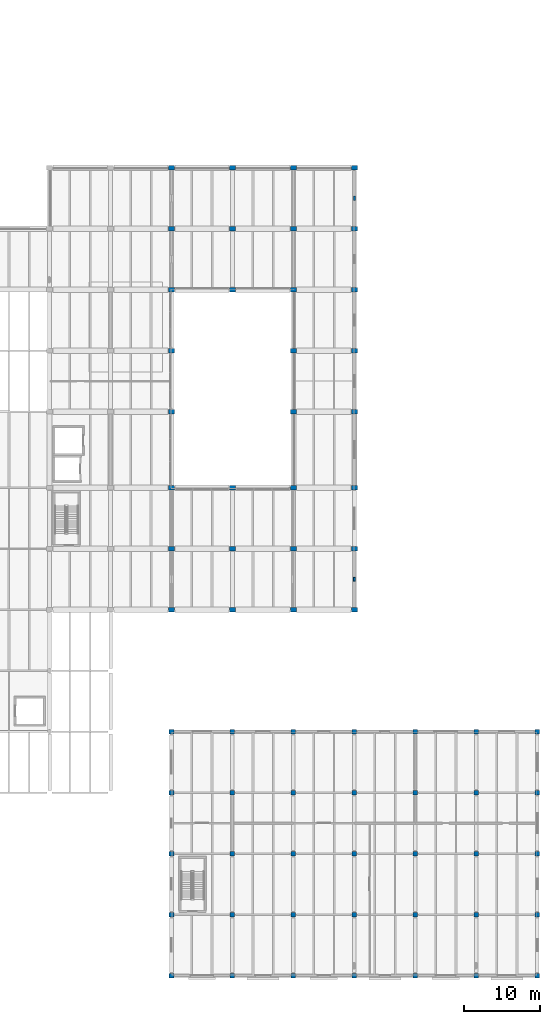
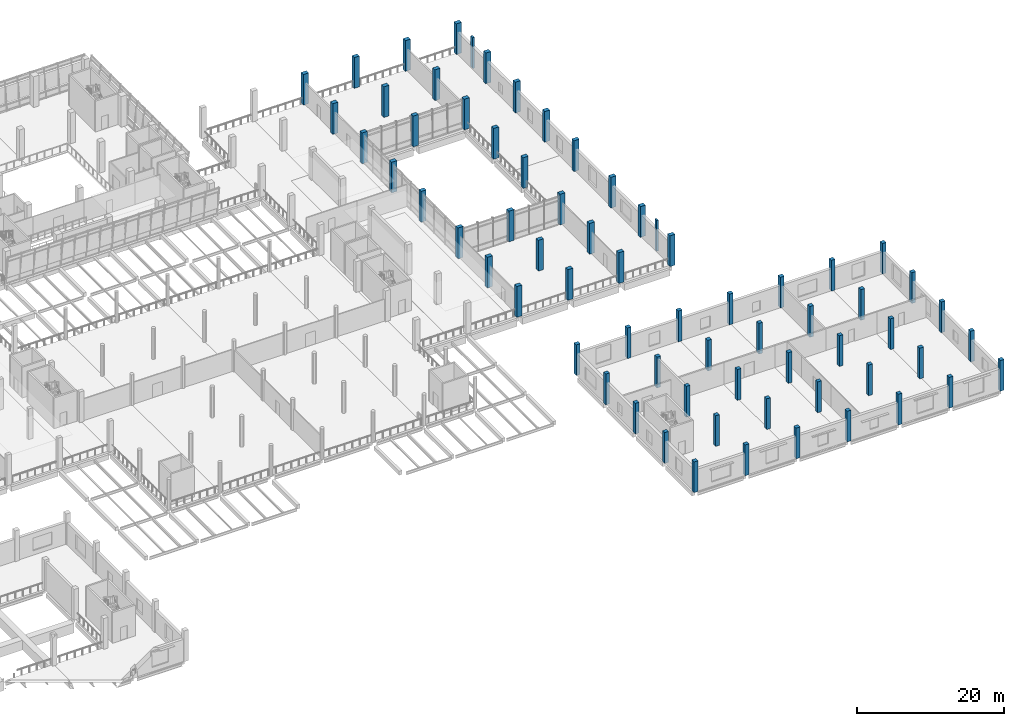
# One storey, part 3 of 61: 67 columns.
"""IFC4 building model written with IfcOpenShell, lengths in metres."""

import ifcopenshell
import ifcopenshell.guid

model = None  # the IFC model being written
_history = None  # IfcOwnerHistory: only IFC2X3 demands one
_inside = {}  # id of a spatial element -> (the spatial element, [elements in it])
_under = {}  # id of a project, library or spatial element -> (it, [spatial elements below it])
_declared = {}  # id of a project -> (the project, [libraries it declares])
_typed = {}  # id of a type object -> (the type object, [elements of that type])
_made_of = {}  # id of a material, layer set ... -> (it, [elements and type objects made of it])


def new_model(schema):
    """Start an empty IFC model of exactly this schema.

    Asked for "IFC4X3", IfcOpenShell would pick the latest addendum, in which some entities
    have other attributes; the version numbers below select the first issue.
    IFC2X3 requires an IfcOwnerHistory on every rooted entity: one is made here for all.
    """
    global model, _history
    if schema == "IFC4X3":
        model = ifcopenshell.file(schema_version=(4, 3, 0, 0))
    else:
        model = ifcopenshell.file(schema=schema)
    _inside.clear()
    _under.clear()
    _declared.clear()
    _typed.clear()
    _made_of.clear()
    _history = None
    if model.schema == "IFC2X3":
        org = make("IfcOrganization", Name="unknown")
        user = make(
            "IfcPersonAndOrganization",
            ThePerson=make("IfcPerson", FamilyName="unknown"),
            TheOrganization=org,
        )
        app = make(
            "IfcApplication",
            ApplicationDeveloper=org,
            Version="unknown",
            ApplicationFullName="unknown",
            ApplicationIdentifier="unknown",
        )
        _history = make(
            "IfcOwnerHistory",
            OwningUser=user,
            OwningApplication=app,
            ChangeAction="ADDED",
            CreationDate=0,
        )
    return model


def make(cls, **values):
    """One entity of the class cls with the attributes given. An attribute that is None is left unset."""
    return model.create_entity(
        cls, **{name: value for name, value in values.items() if value is not None}
    )


def rooted(cls, **values):
    """An entity with a GlobalId (a new one), such as an element, a storey or a relation."""
    return make(cls, GlobalId=ifcopenshell.guid.new(), OwnerHistory=_history, **values)


def si_unit(unit_type, name, prefix=None):
    """IfcSIUnit, for example si_unit("LENGTHUNIT", "METRE", prefix="MILLI")."""
    return make("IfcSIUnit", UnitType=unit_type, Prefix=prefix, Name=name)


def assignment(units):
    """IfcUnitAssignment: the units of a project."""
    return None if units is None else make("IfcUnitAssignment", Units=units)


def point(xyz):
    """IfcCartesianPoint."""
    return None if xyz is None else make("IfcCartesianPoint", Coordinates=xyz)


def direction(xyz):
    """IfcDirection."""
    return None if xyz is None else make("IfcDirection", DirectionRatios=xyz)


def frame(location, z_axis=None, x_axis=None):
    """IfcAxis2Placement3D, a coordinate frame: its origin and axes. An axis left out is left unset."""
    return make(
        "IfcAxis2Placement3D",
        Location=point(location),
        Axis=direction(z_axis),
        RefDirection=direction(x_axis),
    )


def frame_2d(location, x_axis=None):
    """IfcAxis2Placement2D, a coordinate frame in the plane: its origin and x axis."""
    return make(
        "IfcAxis2Placement2D", Location=point(location), RefDirection=direction(x_axis)
    )


def origin():
    """The frame at (0, 0, 0) with its axes left unset."""
    return frame((0.0, 0.0, 0.0))


def origin_2d():
    """The frame at (0, 0) in the plane with its x axis left unset."""
    return frame_2d((0.0, 0.0))


def place(relative_to, where):
    """IfcLocalPlacement: puts the frame where relative to a parent placement (None: the world)."""
    return make(
        "IfcLocalPlacement", PlacementRelTo=relative_to, RelativePlacement=where
    )


def context(
    kind, dimensions, precision=None, world=None, true_north=None, identifier=None
):
    """IfcGeometricRepresentationContext, for example the 3D "Model" context."""
    return make(
        "IfcGeometricRepresentationContext",
        ContextIdentifier=identifier,
        ContextType=kind,
        CoordinateSpaceDimension=dimensions,
        Precision=precision,
        WorldCoordinateSystem=world,
        TrueNorth=true_north,
    )


def subcontext(parent, identifier, kind, view, scale=None):
    """IfcGeometricRepresentationSubContext, for example "Body" below "Model"."""
    return make(
        "IfcGeometricRepresentationSubContext",
        ContextIdentifier=identifier,
        ContextType=kind,
        ParentContext=parent,
        TargetScale=scale,
        TargetView=view,
    )


def project(units=None, contexts=None):
    """IfcProject with its units and contexts."""
    return rooted(
        "IfcProject",
        Name="project",
        RepresentationContexts=contexts,
        UnitsInContext=assignment(units),
    )


def spatial(cls, under=None, at=None, **own):
    """A site, building, storey or space (cls), placed at a placement, below another one or the project."""
    s = rooted(cls, ObjectPlacement=at, **own)
    if under is not None:
        _under.setdefault(under.id(), (under, []))[1].append(s)
    return s


def profile(cls, at=None, kind="AREA", **sizes):
    """A parametric profile (cls). Its sizes go by their IFC names, for example OverallWidth=200.0."""
    return make(cls, ProfileType=kind, Position=at, **sizes)


def rectangle(**sizes):
    """IfcRectangleProfileDef."""
    return profile("IfcRectangleProfileDef", **sizes)


def extrude(swept, where, along, depth):
    """IfcExtrudedAreaSolid: the profile swept, set in the frame where, extruded along a direction by depth."""
    return make(
        "IfcExtrudedAreaSolid",
        SweptArea=swept,
        Position=where,
        ExtrudedDirection=direction(along),
        Depth=depth,
    )


def shape(context_of_items, identifier, shape_type, items):
    """IfcShapeRepresentation: the items that make up one representation, for example the "Body"."""
    return make(
        "IfcShapeRepresentation",
        ContextOfItems=context_of_items,
        RepresentationIdentifier=identifier,
        RepresentationType=shape_type,
        Items=items,
    )


def material(Name=None, Category=None):
    """IfcMaterial."""
    return make("IfcMaterial", Name=Name, Category=Category)


def material_profile(
    of_material, cross_section, Name=None, Category=None, Priority=None
):
    """IfcMaterialProfile: a cross section and its material."""
    return make(
        "IfcMaterialProfile",
        Name=Name,
        Material=of_material,
        Profile=cross_section,
        Priority=Priority,
        Category=Category,
    )


def profile_set(profiles, Name=None, composite=None):
    """IfcMaterialProfileSet."""
    return make(
        "IfcMaterialProfileSet",
        Name=Name,
        MaterialProfiles=profiles,
        CompositeProfile=composite,
    )


def made_of(thing, what):
    """Note that an element or type object is made of a material, layer set ...; save() writes the relation."""
    if what is not None:
        _made_of.setdefault(what.id(), (what, []))[1].append(thing)
    return thing


def type_object(cls, material=None, **own):
    """A type object (cls), such as IfcWallType, which elements share."""
    return made_of(rooted(cls, **own), material)


def element(
    cls,
    number,
    at=None,
    inside=None,
    cuts=None,
    type_object=None,
    material=None,
    context=None,
    identifier="Body",
    shape_type=None,
    held_by="IfcProductDefinitionShape",
    body=None,
    shapes=None,
    **own,
):
    """One element of the class cls, such as IfcWall. Its Tag is "e" and its number.

    at: its placement. inside: the storey or other place that contains it. cuts: it is an
    opening in that element (IfcRelVoidsElement). A single representation is given by context,
    identifier, shape_type and body (its items); several are given by shapes. held_by: the class
    of the entity that holds the representations. save() writes the other relations.
    """
    e = rooted(cls, Tag="e%d" % number, ObjectPlacement=at, **own)
    if body is not None:
        shapes = [shape(context, identifier, shape_type, body)]
    if shapes is not None:
        e.Representation = make(held_by, Representations=shapes)
    if inside is not None:
        _inside.setdefault(inside.id(), (inside, []))[1].append(e)
    if cuts is not None:
        rooted(
            "IfcRelVoidsElement", RelatingBuildingElement=cuts, RelatedOpeningElement=e
        )
    if type_object is not None:
        _typed.setdefault(type_object.id(), (type_object, []))[1].append(e)
    return made_of(e, material)


def aggregate(whole, parts):
    """IfcRelAggregates: a whole, such as a stair, and the parts it consists of."""
    return rooted("IfcRelAggregates", RelatingObject=whole, RelatedObjects=parts)


def save(model, path):
    """Write the relations noted so far, then the file.

    IfcRelAggregates (storeys below a building ...), IfcRelContainedInSpatialStructure (elements
    in a storey), IfcRelDefinesByType, IfcRelAssociatesMaterial and IfcRelDeclares: one each for
    every whole, place, type object, material and project.
    """
    for whole, parts in _under.values():
        aggregate(whole, parts)
    for where, things in _inside.values():
        rooted(
            "IfcRelContainedInSpatialStructure",
            RelatedElements=things,
            RelatingStructure=where,
        )
    for kind, things in _typed.values():
        rooted("IfcRelDefinesByType", RelatedObjects=things, RelatingType=kind)
    for what, things in _made_of.values():
        rooted("IfcRelAssociatesMaterial", RelatedObjects=things, RelatingMaterial=what)
    for by, libraries in _declared.values():
        rooted("IfcRelDeclares", RelatingContext=by, RelatedDefinitions=libraries)
    model.write(path)


model = new_model("IFC4")

# Units and contexts
model_context = context("Model", 3, precision=1e-05, world=origin(), true_north=direction((0.0, 1.0)))
body_context = subcontext(model_context, "Body", "Model", "MODEL_VIEW")
ifc_project = project(units=[si_unit("LENGTHUNIT", "METRE"), si_unit("AREAUNIT", "SQUARE_METRE"), si_unit("VOLUMEUNIT", "CUBIC_METRE"), si_unit("PLANEANGLEUNIT", "RADIAN"), si_unit("MASSUNIT", "GRAM", prefix="KILO")], contexts=[model_context])

# Site, building, storey
site_placement = place(None, origin())
site = spatial("IfcSite", under=ifc_project, at=site_placement, CompositionType="ELEMENT")
building_placement = place(site_placement, origin())
building = spatial("IfcBuilding", under=site, at=building_placement, Name="Pecanmere Concourse Central Library", CompositionType="ELEMENT")
storey_placement = place(building_placement, frame((0.0, 0.0, 5.39990234375)))
storey = spatial("IfcBuildingStorey", under=building, at=storey_placement, Name="L02", CompositionType="ELEMENT", Elevation=5.39990234375)

# Columns
ifc_material_1 = material(Name="Concrete C40/50", Category="concrete")
ifc_material_profile_1 = material_profile(ifc_material_1, rectangle(XDim=0.60009765625, YDim=0.60009765625, at=origin_2d()), Name="RC 600x600")
ifc_profile_set_1 = profile_set([ifc_material_profile_1], Name="Concrete C40/50")
column_type_1 = type_object("IfcColumnType", Name="COL_RC_600x600", PredefinedType="COLUMN", material=ifc_profile_set_1)
for number, where, z_axis, x_axis, name in (
    (1, (128.0, 0.0, 0.0), (0.0, 0.0, 1.0), (1.0, 0.0, 0.0), "Column C-08 L02-152"),
    (2, (128.0, 8.0, 0.0), (0.0, 0.0, 1.0), (1.0, 0.0, 0.0), "Column C-08 L02-153"),
    (3, (128.0, 16.0, 0.0), (0.0, 0.0, 1.0), (1.0, 0.0, 0.0), "Column C-08 L02-154"),
    (4, (128.0, 24.0, 0.0), (0.0, 0.0, 1.0), (1.0, 0.0, 0.0), "Column C-08 L02-155"),
    (5, (128.0, 32.0, 0.0), (0.0, 0.0, 1.0), (1.0, 0.0, 0.0), "Column C-08 L02-156"),
    (6, (136.0, 0.0, 0.0), (0.0, 0.0, 1.0), (1.0, 0.0, 0.0), "Column C-08 L02-165"),
    (7, (136.0, 8.0, 0.0), (0.0, 0.0, 1.0), (1.0, 0.0, 0.0), "Column C-08 L02-166"),
    (8, (136.0, 16.0, 0.0), (0.0, 0.0, 1.0), (1.0, 0.0, 0.0), "Column C-08 L02-167"),
    (9, (136.0, 24.0, 0.0), (0.0, 0.0, 1.0), (1.0, 0.0, 0.0), "Column C-08 L02-168"),
    (10, (136.0, 32.0, 0.0), (0.0, 0.0, 1.0), (1.0, 0.0, 0.0), "Column C-08 L02-169"),
    (11, (144.0, 0.0, 0.0), (0.0, 0.0, 1.0), (1.0, 0.0, 0.0), "Column C-08 L02-176"),
    (12, (144.0, 8.0, 0.0), (0.0, 0.0, 1.0), (1.0, 0.0, 0.0), "Column C-08 L02-177"),
    (13, (144.0, 16.0, 0.0), (0.0, 0.0, 1.0), (1.0, 0.0, 0.0), "Column C-08 L02-178"),
    (14, (144.0, 24.0, 0.0), (0.0, 0.0, 1.0), (1.0, 0.0, 0.0), "Column C-08 L02-179"),
    (15, (144.0, 32.0, 0.0), (0.0, 0.0, 1.0), (1.0, 0.0, 0.0), "Column C-08 L02-180"),
    (16, (152.0, 0.0, 0.0), (0.0, 0.0, 1.0), (1.0, 0.0, 0.0), "Column C-08 L02-189"),
    (17, (152.0, 8.0, 0.0), (0.0, 0.0, 1.0), (1.0, 0.0, 0.0), "Column C-08 L02-190"),
    (18, (152.0, 16.0, 0.0), (0.0, 0.0, 1.0), (1.0, 0.0, 0.0), "Column C-08 L02-191"),
    (19, (152.0, 24.0, 0.0), (0.0, 0.0, 1.0), (1.0, 0.0, 0.0), "Column C-08 L02-192"),
    (20, (152.0, 32.0, 0.0), (0.0, 0.0, 1.0), (1.0, 0.0, 0.0), "Column C-08 L02-193"),
    (21, (160.0, 0.0, 0.0), (0.0, 0.0, 1.0), (1.0, 0.0, 0.0), "Column C-08 L02-202"),
    (22, (160.0, 8.0, 0.0), (0.0, 0.0, 1.0), (1.0, 0.0, 0.0), "Column C-08 L02-203"),
    (23, (160.0, 16.0, 0.0), (0.0, 0.0, 1.0), (1.0, 0.0, 0.0), "Column C-08 L02-204"),
    (24, (160.0, 24.0, 0.0), (0.0, 0.0, 1.0), (1.0, 0.0, 0.0), "Column C-08 L02-205"),
    (25, (160.0, 32.0, 0.0), (0.0, 0.0, 1.0), (1.0, 0.0, 0.0), "Column C-08 L02-206"),
    (26, (168.0, 0.0, 0.0), (0.0, 0.0, 1.0), (1.0, 0.0, 0.0), "Column C-08 L02-207"),
    (27, (168.0, 8.0, 0.0), (0.0, 0.0, 1.0), (1.0, 0.0, 0.0), "Column C-08 L02-208"),
    (28, (168.0, 16.0, 0.0), (0.0, 0.0, 1.0), (1.0, 0.0, 0.0), "Column C-08 L02-209"),
    (29, (168.0, 24.0, 0.0), (0.0, 0.0, 1.0), (1.0, 0.0, 0.0), "Column C-08 L02-210"),
    (30, (168.0, 32.0, 0.0), (0.0, 0.0, 1.0), (1.0, 0.0, 0.0), "Column C-08 L02-211"),
    (31, (176.0, 0.0, 0.0), (0.0, 0.0, 1.0), (1.0, 0.0, 0.0), "Column C-08 L02-212"),
    (32, (176.0, 8.0, 0.0), (0.0, 0.0, 1.0), (1.0, 0.0, 0.0), "Column C-08 L02-213"),
    (33, (176.0, 16.0, 0.0), (0.0, 0.0, 1.0), (1.0, 0.0, 0.0), "Column C-08 L02-214"),
    (34, (176.0, 24.0, 0.0), (0.0, 0.0, 1.0), (1.0, 0.0, 0.0), "Column C-08 L02-215"),
    (35, (176.0, 32.0, 0.0), (0.0, 0.0, 1.0), (1.0, 0.0, 0.0), "Column C-08 L02-216"),
):
    element("IfcColumn", number, at=place(storey_placement, frame(where, z_axis=z_axis, x_axis=x_axis)), inside=storey, type_object=column_type_1, Name=name, PredefinedType="COLUMN", context=body_context, shape_type="SweptSolid", body=[
        extrude(rectangle(XDim=0.60009765625, YDim=0.60009765625, at=origin_2d()), origin(), (0.0, 0.0, 1.0), 5.10009765625),
    ])
ifc_material_2 = material(Name="Concrete C40/50", Category="concrete")
ifc_material_profile_2 = material_profile(ifc_material_2, rectangle(XDim=0.800048828125, YDim=0.60009765625, at=origin_2d()), Name="RC 800x600")
ifc_profile_set_2 = profile_set([ifc_material_profile_2], Name="Concrete C40/50")
column_type_2 = type_object("IfcColumnType", Name="COL_RC_800x600", PredefinedType="COLUMN", material=ifc_profile_set_2)
for number, where, z_axis, x_axis, name in (
    (36, (128.0, 48.0, 0.0), (0.0, 0.0, 1.0), (1.0, 0.0, 0.0), "Column C-15 L02-157"),
    (37, (128.0, 56.0, 0.0), (0.0, 0.0, 1.0), (1.0, 0.0, 0.0), "Column C-15 L02-158"),
    (38, (128.0, 64.0, 0.0), (0.0, 0.0, 1.0), (1.0, 0.0, 0.0), "Column C-15 L02-159"),
    (39, (128.0, 74.0, 0.0), (0.0, 0.0, 1.0), (1.0, 0.0, 0.0), "Column C-15 L02-160"),
    (40, (128.0, 82.0, 0.0), (0.0, 0.0, 1.0), (1.0, 0.0, 0.0), "Column C-15 L02-161"),
    (41, (128.0, 90.0, 0.0), (0.0, 0.0, 1.0), (1.0, 0.0, 0.0), "Column C-15 L02-162"),
    (42, (128.0, 98.0, 0.0), (0.0, 0.0, 1.0), (1.0, 0.0, 0.0), "Column C-15 L02-163"),
    (43, (128.0, 106.0, 0.0), (0.0, 0.0, 1.0), (1.0, 0.0, 0.0), "Column C-15 L02-164"),
    (44, (136.0, 48.0, 0.0), (0.0, 0.0, 1.0), (1.0, 0.0, 0.0), "Column C-15 L02-170"),
    (45, (136.0, 56.0, 0.0), (0.0, 0.0, 1.0), (1.0, 0.0, 0.0), "Column C-15 L02-171"),
    (46, (136.0, 64.0, 0.0), (0.0, 0.0, 1.0), (1.0, 0.0, 0.0), "Column C-15 L02-172"),
    (47, (136.0, 90.0, 0.0), (0.0, 0.0, 1.0), (1.0, 0.0, 0.0), "Column C-15 L02-173"),
    (48, (136.0, 98.0, 0.0), (0.0, 0.0, 1.0), (1.0, 0.0, 0.0), "Column C-15 L02-174"),
    (49, (136.0, 106.0, 0.0), (0.0, 0.0, 1.0), (1.0, 0.0, 0.0), "Column C-15 L02-175"),
    (50, (144.0, 48.0, 0.0), (0.0, 0.0, 1.0), (1.0, 0.0, 0.0), "Column C-15 L02-181"),
    (51, (144.0, 56.0, 0.0), (0.0, 0.0, 1.0), (1.0, 0.0, 0.0), "Column C-15 L02-182"),
    (52, (144.0, 64.0, 0.0), (0.0, 0.0, 1.0), (1.0, 0.0, 0.0), "Column C-15 L02-183"),
    (53, (144.0, 74.0, 0.0), (0.0, 0.0, 1.0), (1.0, 0.0, 0.0), "Column C-15 L02-184"),
    (54, (144.0, 82.0, 0.0), (0.0, 0.0, 1.0), (1.0, 0.0, 0.0), "Column C-15 L02-185"),
    (55, (144.0, 90.0, 0.0), (0.0, 0.0, 1.0), (1.0, 0.0, 0.0), "Column C-15 L02-186"),
    (56, (144.0, 98.0, 0.0), (0.0, 0.0, 1.0), (1.0, 0.0, 0.0), "Column C-15 L02-187"),
    (57, (144.0, 106.0, 0.0), (0.0, 0.0, 1.0), (1.0, 0.0, 0.0), "Column C-15 L02-188"),
    (58, (152.0, 48.0, 0.0), (0.0, 0.0, 1.0), (1.0, 0.0, 0.0), "Column C-15 L02-194"),
    (59, (152.0, 56.0, 0.0), (0.0, 0.0, 1.0), (1.0, 0.0, 0.0), "Column C-15 L02-195"),
    (60, (152.0, 64.0, 0.0), (0.0, 0.0, 1.0), (1.0, 0.0, 0.0), "Column C-15 L02-196"),
    (61, (152.0, 74.0, 0.0), (0.0, 0.0, 1.0), (1.0, 0.0, 0.0), "Column C-15 L02-197"),
    (62, (152.0, 82.0, 0.0), (0.0, 0.0, 1.0), (1.0, 0.0, 0.0), "Column C-15 L02-198"),
    (63, (152.0, 90.0, 0.0), (0.0, 0.0, 1.0), (1.0, 0.0, 0.0), "Column C-15 L02-199"),
    (64, (152.0, 98.0, 0.0), (0.0, 0.0, 1.0), (1.0, 0.0, 0.0), "Column C-15 L02-200"),
    (65, (152.0, 106.0, 0.0), (0.0, 0.0, 1.0), (1.0, 0.0, 0.0), "Column C-15 L02-201"),
):
    element("IfcColumn", number, at=place(storey_placement, frame(where, z_axis=z_axis, x_axis=x_axis)), inside=storey, type_object=column_type_2, Name=name, PredefinedType="COLUMN", context=body_context, shape_type="SweptSolid", body=[
        extrude(rectangle(XDim=0.800048828125, YDim=0.60009765625, at=origin_2d()), origin(), (0.0, 0.0, 1.0), 5.10009765625),
    ])
ifc_material_3 = material(Name="Precast concrete C40/50", Category="concrete")
ifc_material_profile_3 = material_profile(ifc_material_3, rectangle(XDim=0.5, YDim=0.25, at=origin_2d()), Name="RC 500x250")
ifc_profile_set_3 = profile_set([ifc_material_profile_3], Name="Precast concrete C40/50")
column_type_3 = type_object("IfcColumnType", Name="PIL_500x250", PredefinedType="PILASTER", material=ifc_profile_set_3)
column_1_placement = place(storey_placement, frame((152.0, 52.0, 0.0), z_axis=(0.0, 0.0, 1.0), x_axis=(0.0, 1.0, 0.0)))
element("IfcColumn", 66, at=column_1_placement, inside=storey, type_object=column_type_3, Name="Classical Limestone Pilaster L02-03", PredefinedType="PILASTER", context=body_context, shape_type="SweptSolid", body=[
    extrude(rectangle(XDim=0.5, YDim=0.25, at=origin_2d()), origin(), (0.0, 0.0, 1.0), 5.10009765625),
])
ifc_material_4 = material(Name="Precast concrete C40/50", Category="concrete")
ifc_material_profile_4 = material_profile(ifc_material_4, rectangle(XDim=0.56005859375, YDim=0.280029296875, at=origin_2d()), Name="RC 560x280")
ifc_profile_set_4 = profile_set([ifc_material_profile_4], Name="Precast concrete C40/50")
column_type_4 = type_object("IfcColumnType", Name="PIL_560x280", PredefinedType="PILASTER", material=ifc_profile_set_4)
column_2_placement = place(storey_placement, frame((152.0, 102.0, 0.0), z_axis=(0.0, 0.0, 1.0), x_axis=(0.0, 1.0, 0.0)))
element("IfcColumn", 67, at=column_2_placement, inside=storey, type_object=column_type_4, Name="Classical Limestone Pilaster L02-04", PredefinedType="PILASTER", context=body_context, shape_type="SweptSolid", body=[
    extrude(rectangle(XDim=0.56005859375, YDim=0.280029296875, at=origin_2d()), origin(), (0.0, 0.0, 1.0), 5.10009765625),
])

save(model, "model.ifc")
